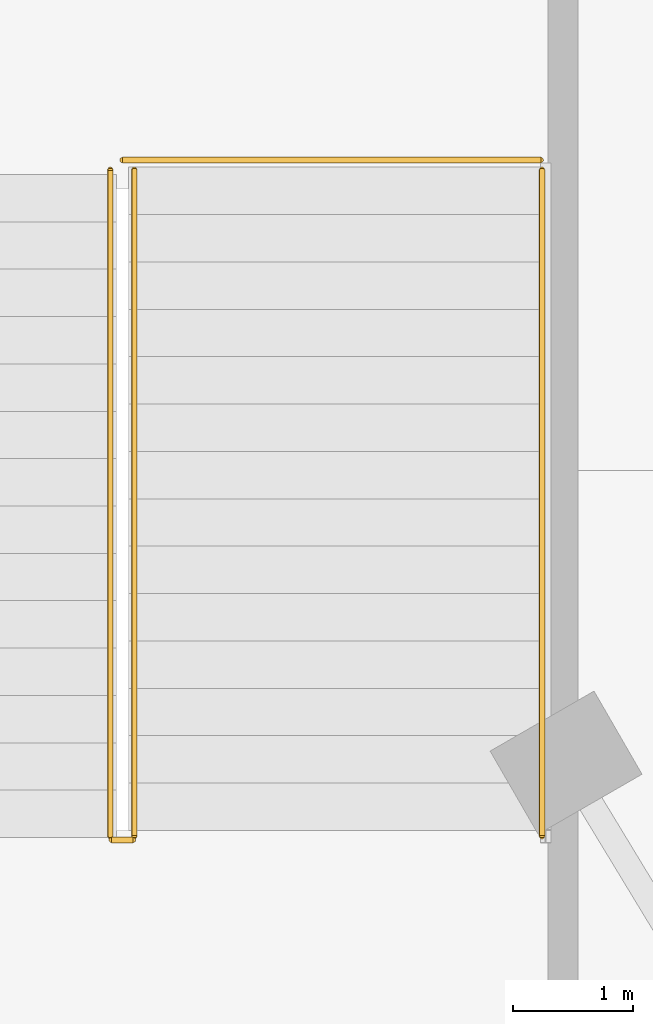
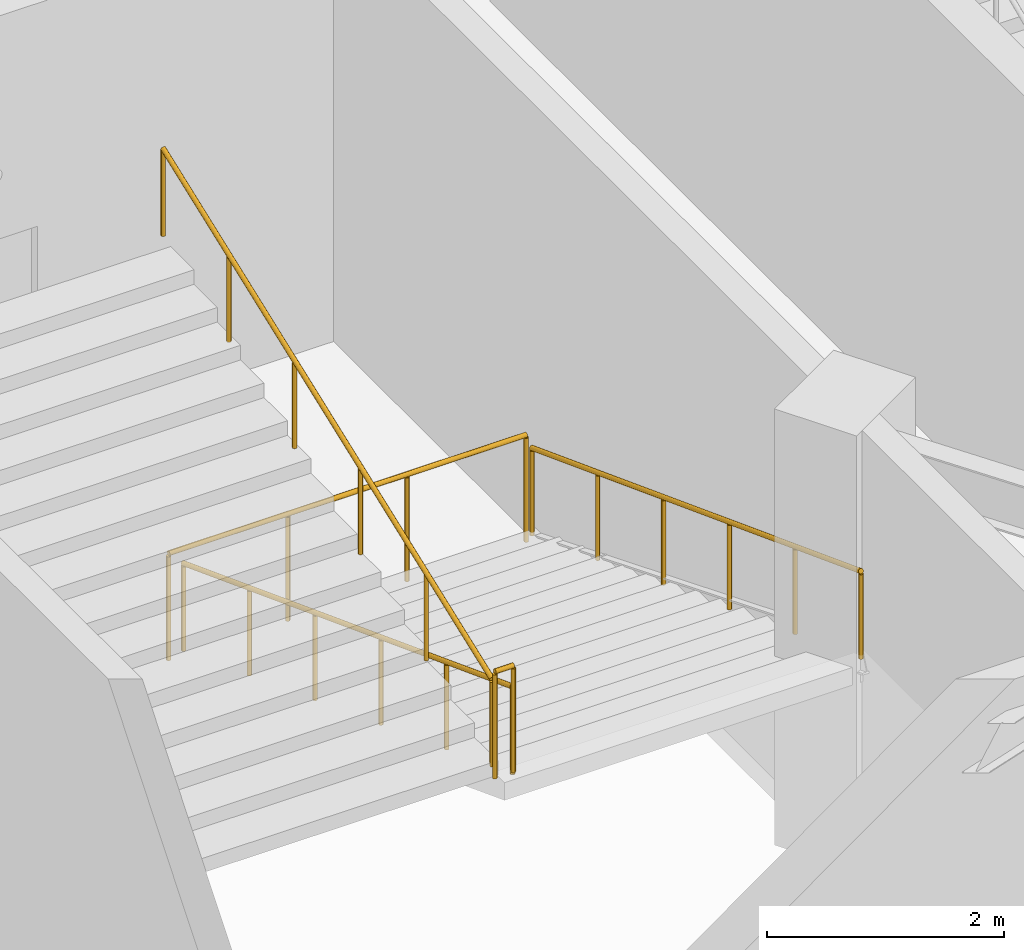
# One storey, part 94 of 107: 5 railings.
"""IFC4 building model written with IfcOpenShell, lengths in metres."""

from ifc_helpers import new_model, si_unit, direction, frame, origin, origin_2d, place, context, subcontext, project, spatial, circle, extrude, material, type_object, element, save


model = new_model("IFC4")

# Units and contexts
model_context = context("Model", 3, precision=1e-05, world=origin(), true_north=direction((0.0, 1.0)))
body_context = subcontext(model_context, "Body", "Model", "MODEL_VIEW")
ifc_project = project(units=[si_unit("LENGTHUNIT", "METRE"), si_unit("AREAUNIT", "SQUARE_METRE"), si_unit("VOLUMEUNIT", "CUBIC_METRE"), si_unit("PLANEANGLEUNIT", "RADIAN"), si_unit("MASSUNIT", "GRAM", prefix="KILO")], contexts=[model_context])

# Site, building, storey
site_placement = place(None, origin())
site = spatial("IfcSite", under=ifc_project, at=site_placement, CompositionType="ELEMENT")
building_placement = place(site_placement, origin())
building = spatial("IfcBuilding", under=site, at=building_placement, Name="Kalgoora Escarpment Arena", CompositionType="ELEMENT")
storey_placement = place(building_placement, frame((0.0, 0.0, 5.39990234375)))
storey = spatial("IfcBuildingStorey", under=building, at=storey_placement, Name="L01", CompositionType="ELEMENT", Elevation=5.39990234375)

# Railings
ifc_material_1 = material(Name="Galvanised & powdercoated tubular steel", Category="steel")
railing_type_1 = type_object("IfcRailingType", Name="RAL-GUARD-1120", PredefinedType="GUARDRAIL", material=ifc_material_1)
railing_1_placement = place(storey_placement, frame((120.489990234375, 20.919921875, 2.25)))
element("IfcRailing", 1, at=railing_1_placement, inside=storey, type_object=railing_type_1, Name="ST16 L01 half-landing well guard", PredefinedType="GUARDRAIL", context=body_context, shape_type="SweptSolid", body=[
    extrude(circle(Radius=0.02392578125, at=origin_2d()), frame((0.0, 0.0, 1.09619140625), z_axis=(-1.0, 0.0, 0.0), x_axis=(0.0, -1.0, 0.0)), (0.0, 0.0, 1.0), 0.179931640625),
    extrude(circle(Radius=0.02099609375, at=origin_2d()), origin(), (0.0, 0.0, 1.0), 1.072021484375),
    extrude(circle(Radius=0.02099609375, at=origin_2d()), frame((-0.179931640625, 0.0, 0.0)), (0.0, 0.0, 1.0), 1.072021484375),
])
railing_2_placement = place(storey_placement, frame((123.889892578125, 26.590087890625, 0.0)))
element("IfcRailing", 2, at=railing_2_placement, inside=storey, type_object=railing_type_1, Name="ST16 L01 floor landing well guard", PredefinedType="GUARDRAIL", context=body_context, shape_type="SweptSolid", body=[
    extrude(circle(Radius=0.02392578125, at=origin_2d()), frame((0.0, 0.0, 1.09619140625), z_axis=(-1.0, 0.0, 0.0), x_axis=(0.0, -1.0, 0.0)), (0.0, 0.0, 1.0), 3.489990234375),
    extrude(circle(Radius=0.02099609375, at=origin_2d()), origin(), (0.0, 0.0, 1.0), 1.072021484375),
    extrude(circle(Radius=0.02099609375, at=origin_2d()), frame((-1.163330078125, 0.0, 0.0)), (0.0, 0.0, 1.0), 1.072021484375),
    extrude(circle(Radius=0.02099609375, at=origin_2d()), frame((-2.32666015625, 0.0, 0.0)), (0.0, 0.0, 1.0), 1.072021484375),
    extrude(circle(Radius=0.02099609375, at=origin_2d()), frame((-3.489990234375, 0.0, 0.0)), (0.0, 0.0, 1.0), 1.072021484375),
])
ifc_material_2 = material(Name="Brushed stainless steel 316 handrail", Category="steel")
railing_type_2 = type_object("IfcRailingType", Name="RAL-HAND-920", PredefinedType="HANDRAIL", material=ifc_material_2)
for number, where, name in (
    (3, (123.89990234375, 26.510009765625, 0.110107421875), "ST16 L01 pitched stair handrail F1L"),
    (4, (120.5, 26.510009765625, 0.110107421875), "ST16 L01 pitched stair handrail F1R"),
):
    element("IfcRailing", number, at=place(storey_placement, frame(where)), inside=storey, type_object=railing_type_2, Name=name, PredefinedType="HANDRAIL", context=body_context, shape_type="SweptSolid", body=[
        extrude(circle(Radius=0.02392578125, at=origin_2d()), frame((0.0, 0.0, 0.89599609375), z_axis=(0.0, -0.935492612948, 0.353346248203), x_axis=(1.0, 0.0, 0.0)), (0.0, 0.0, 1.0), 5.943359375),
        extrude(circle(Radius=0.02099609375, at=origin_2d()), origin(), (0.0, 0.0, 1.0), 0.871826171875),
        extrude(circle(Radius=0.02099609375, at=origin_2d()), frame((0.0, -1.112060546875, 0.419921875)), (0.0, 0.0, 1.0), 0.871826171875),
        extrude(circle(Radius=0.02099609375, at=origin_2d()), frame((0.0, -2.22412109375, 0.840087890625)), (0.0, 0.0, 1.0), 0.871826171875),
        extrude(circle(Radius=0.02099609375, at=origin_2d()), frame((0.0, -3.3359375, 1.260009765625)), (0.0, 0.0, 1.0), 0.871826171875),
        extrude(circle(Radius=0.02099609375, at=origin_2d()), frame((0.0, -4.447998046875, 1.68017578125)), (0.0, 0.0, 1.0), 0.871826171875),
        extrude(circle(Radius=0.02099609375, at=origin_2d()), frame((0.0, -5.56005859375, 2.10009765625)), (0.0, 0.0, 1.0), 0.871826171875),
    ])
railing_3_placement = place(storey_placement, frame((120.300048828125, 20.949951171875, 2.360107421875)))
element("IfcRailing", 5, at=railing_3_placement, inside=storey, type_object=railing_type_2, Name="ST16 L01 pitched stair handrail F2L", PredefinedType="HANDRAIL", context=body_context, shape_type="SweptSolid", body=[
    extrude(circle(Radius=0.02392578125, at=origin_2d()), frame((0.0, 0.0, 0.89599609375), z_axis=(0.0, 0.935492612948, 0.353346248203), x_axis=(-1.0, 0.0, 0.0)), (0.0, 0.0, 1.0), 5.943359375),
    extrude(circle(Radius=0.02099609375, at=origin_2d()), origin(), (0.0, 0.0, 1.0), 0.871826171875),
    extrude(circle(Radius=0.02099609375, at=origin_2d()), frame((0.0, 1.112060546875, 0.419921875)), (0.0, 0.0, 1.0), 0.871826171875),
    extrude(circle(Radius=0.02099609375, at=origin_2d()), frame((0.0, 2.22412109375, 0.840087890625)), (0.0, 0.0, 1.0), 0.871826171875),
    extrude(circle(Radius=0.02099609375, at=origin_2d()), frame((0.0, 3.3359375, 1.260009765625)), (0.0, 0.0, 1.0), 0.871826171875),
    extrude(circle(Radius=0.02099609375, at=origin_2d()), frame((0.0, 4.447998046875, 1.68017578125)), (0.0, 0.0, 1.0), 0.871826171875),
    extrude(circle(Radius=0.02099609375, at=origin_2d()), frame((0.0, 5.56005859375, 2.10009765625)), (0.0, 0.0, 1.0), 0.871826171875),
])

save(model, "model.ifc")
